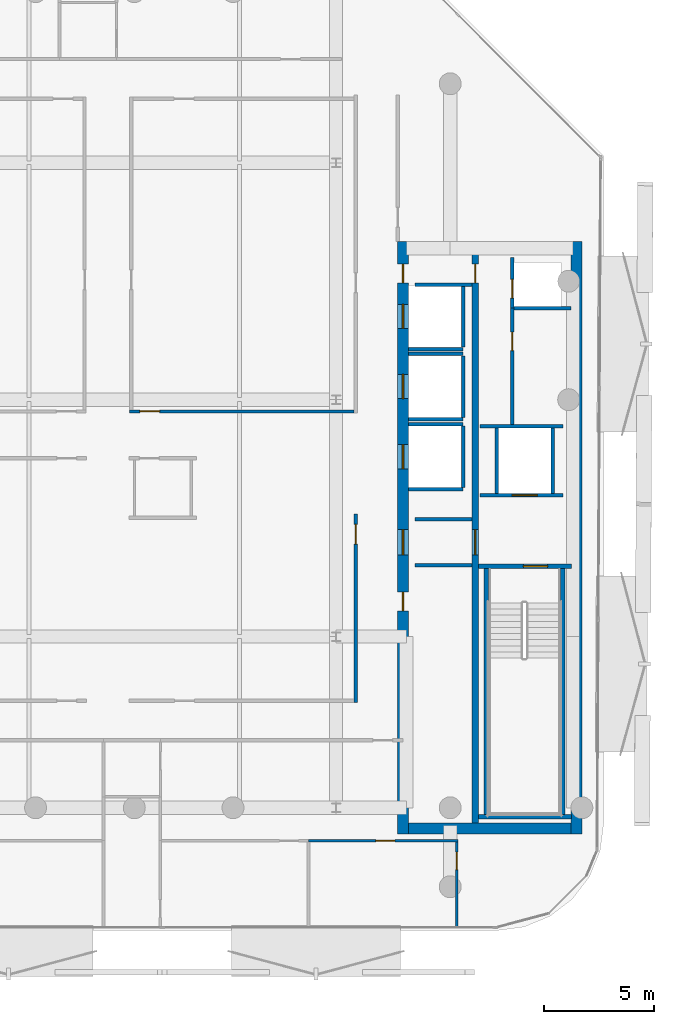
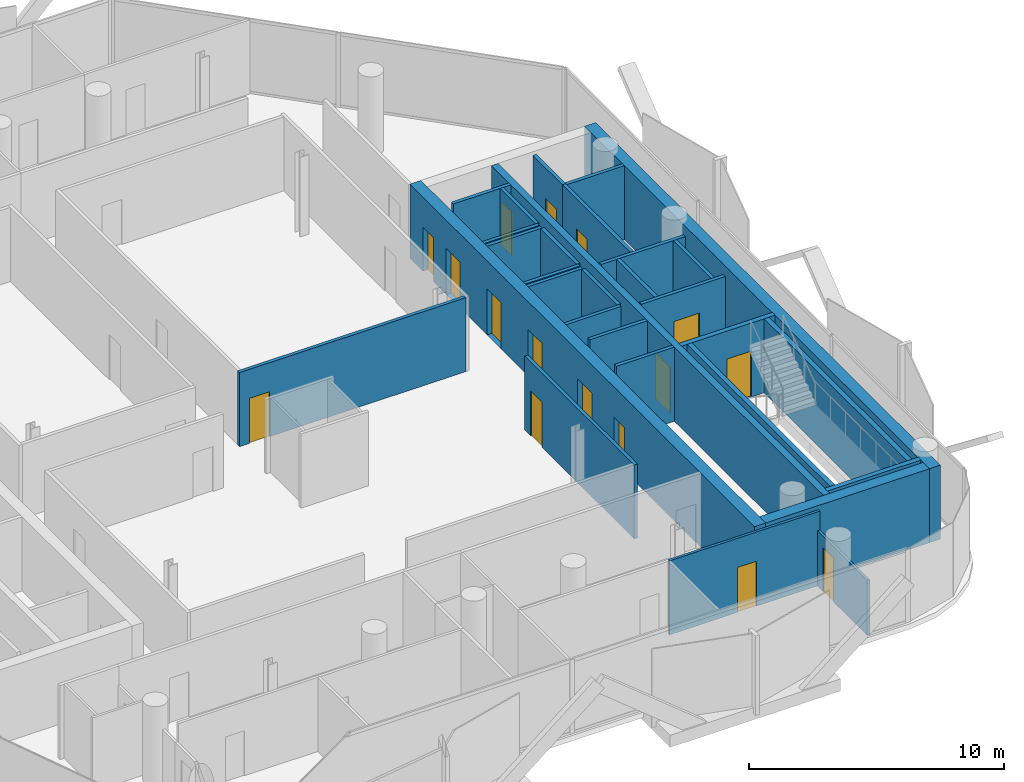
# One storey, part 6 of 16: 30 walls, 16 doors, 16 openings.
"""IFC4 building model written with IfcOpenShell, lengths in metres."""

from ifc_helpers import new_model, si_unit, direction, frame, frame_2d, origin, place, context, subcontext, project, spatial, rectangle, extrude, material, layer, layer_set, type_object, element, fill, save


model = new_model("IFC4")

# Units and contexts
model_context = context("Model", 3, precision=1e-05, world=origin(), true_north=direction((0.0, 1.0)))
body_context = subcontext(model_context, "Body", "Model", "MODEL_VIEW")
ifc_project = project(units=[si_unit("LENGTHUNIT", "METRE"), si_unit("AREAUNIT", "SQUARE_METRE"), si_unit("VOLUMEUNIT", "CUBIC_METRE"), si_unit("PLANEANGLEUNIT", "RADIAN"), si_unit("MASSUNIT", "GRAM", prefix="KILO")], contexts=[model_context])

# Site, building, storey
site_placement = place(None, origin())
site = spatial("IfcSite", under=ifc_project, at=site_placement, CompositionType="ELEMENT")
building_placement = place(site_placement, origin())
building = spatial("IfcBuilding", under=site, at=building_placement, Name="Khairoan Windgate Tower", CompositionType="ELEMENT")
storey_placement = place(building_placement, frame((0.0, 0.0, 296.60009765625)))
storey = spatial("IfcBuildingStorey", under=building, at=storey_placement, Name="L71", CompositionType="ELEMENT", Elevation=296.60009765625)

# Walls
ifc_material_1 = material(Name="Concrete C40/50", Category="concrete")
ifc_layer_1 = layer(ifc_material_1, 0.159912109375, Name="Concrete C40/50")
ifc_layer_set_1 = layer_set([ifc_layer_1], Name="Concrete C40/50")
wall_type_1 = type_object("IfcWallType", Name="Core and Hoistway Enclosure Wall", PredefinedType="STANDARD", material=ifc_layer_set_1)
wall_1_placement = place(storey_placement, frame((12.5, 2.31005859375, 0.0), z_axis=(0.0, 0.0, 1.0), x_axis=(1.0, 0.0, 0.0)))
element("IfcWall", 1, at=wall_1_placement, inside=storey, type_object=wall_type_1, Name="L71 Lift PL7 Hoistway Divider S", PredefinedType="STANDARD", context=body_context, shape_type="SweptSolid", body=[
    extrude(rectangle(XDim=2.489990234375, YDim=0.159912109375, at=frame_2d((1.2451171875, 0.0))), origin(), (0.0, 0.0, 1.0), 3.539794921875),
])
wall_2_placement = place(storey_placement, frame((14.989990234375, 2.39990234375, 0.0), z_axis=(0.0, 0.0, 1.0), x_axis=(0.0, 1.0, 0.0)))
element("IfcWall", 2, at=wall_2_placement, inside=storey, type_object=wall_type_1, Name="L71 Lift PL7 Hoistway Back Wall", PredefinedType="STANDARD", context=body_context, shape_type="SweptSolid", body=[
    extrude(rectangle(XDim=2.800048828125, YDim=0.159912109375, at=frame_2d((1.39990234375, 0.0))), origin(), (0.0, 0.0, 1.0), 3.539794921875),
])
for number, where, z_axis, x_axis, name in (
    (3, (12.5, -0.889892578125, 0.0), (0.0, 0.0, 1.0), (1.0, 0.0, 0.0), "L71 Lift PL8 Hoistway Divider S"),
    (4, (12.5, 2.090087890625, 0.0), (0.0, 0.0, 1.0), (1.0, 0.0, 0.0), "L71 Lift PL8 Hoistway Divider N"),
):
    element("IfcWall", number, at=place(storey_placement, frame(where, z_axis=z_axis, x_axis=x_axis)), inside=storey, type_object=wall_type_1, Name=name, PredefinedType="STANDARD", context=body_context, shape_type="SweptSolid", body=[
        extrude(rectangle(XDim=2.489990234375, YDim=0.159912109375, at=frame_2d((1.2451171875, 0.0))), origin(), (0.0, 0.0, 1.0), 3.539794921875),
    ])
wall_3_placement = place(storey_placement, frame((14.989990234375, -0.800048828125, 0.0), z_axis=(0.0, 0.0, 1.0), x_axis=(0.0, 1.0, 0.0)))
element("IfcWall", 5, at=wall_3_placement, inside=storey, type_object=wall_type_1, Name="L71 Lift PL8 Hoistway Back Wall", PredefinedType="STANDARD", context=body_context, shape_type="SweptSolid", body=[
    extrude(rectangle(XDim=2.800048828125, YDim=0.159912109375, at=frame_2d((1.39990234375, 0.0))), origin(), (0.0, 0.0, 1.0), 3.539794921875),
])
for number, where, z_axis, x_axis, name in (
    (6, (12.5, -4.090087890625, 0.0), (0.0, 0.0, 1.0), (1.0, 0.0, 0.0), "L71 Lift PL9 Hoistway Divider S"),
    (7, (12.5, -1.110107421875, 0.0), (0.0, 0.0, 1.0), (1.0, 0.0, 0.0), "L71 Lift PL9 Hoistway Divider N"),
):
    element("IfcWall", number, at=place(storey_placement, frame(where, z_axis=z_axis, x_axis=x_axis)), inside=storey, type_object=wall_type_1, Name=name, PredefinedType="STANDARD", context=body_context, shape_type="SweptSolid", body=[
        extrude(rectangle(XDim=2.489990234375, YDim=0.159912109375, at=frame_2d((1.2451171875, 0.0))), origin(), (0.0, 0.0, 1.0), 3.539794921875),
    ])
wall_4_placement = place(storey_placement, frame((14.989990234375, -4.0, 0.0), z_axis=(0.0, 0.0, 1.0), x_axis=(0.0, 1.0, 0.0)))
element("IfcWall", 8, at=wall_4_placement, inside=storey, type_object=wall_type_1, Name="L71 Lift PL9 Hoistway Back Wall", PredefinedType="STANDARD", context=body_context, shape_type="SweptSolid", body=[
    extrude(rectangle(XDim=2.800048828125, YDim=0.159912109375, at=frame_2d((1.39990234375, 0.0))), origin(), (0.0, 0.0, 1.0), 3.539794921875),
])

# Wall, opening, door
wall_5_placement = place(storey_placement, frame((15.75, -4.360107421875, 0.0), z_axis=(0.0, 0.0, 1.0), x_axis=(1.0, 0.0, 0.0)))
wall_5 = element("IfcWall", 9, at=wall_5_placement, inside=storey, type_object=wall_type_1, Name="L71 Core Shaft Wall SW-FL1-L71", PredefinedType="STANDARD", context=body_context, shape_type="SweptSolid", body=[
    extrude(rectangle(XDim=3.800048828125, YDim=0.159912109375, at=frame_2d((1.89990234375, 0.0))), origin(), (0.0, 0.0, 1.0), 3.539794921875),
])
opening_1_placement = place(wall_5_placement, frame((1.469970703125, 0.0, 0.0)))
opening_1 = element("IfcOpeningElement", 10, at=opening_1_placement, cuts=wall_5, Name="Opening LD-FL", PredefinedType="OPENING", context=body_context, shape_type="SweptSolid", body=[
    extrude(rectangle(XDim=1.14990234375, YDim=2.199951171875, at=frame_2d((0.574951171875, 1.10009765625))), frame((0.0, 0.08984375, 0.0), z_axis=(0.0, -1.0, 0.0), x_axis=(1.0, 0.0, 0.0)), (0.0, 0.0, 1.0), 0.179931640625),
])
ifc_material_2 = material(Name="Steel S355", Category="steel")
door_type_1 = type_object("IfcDoorType", Name="Firefighting Lift Sliding Landing Door LD-FL 1150x2200", OperationType="DOUBLE_DOOR_SLIDING", PredefinedType="DOOR", material=ifc_material_2)
door_1_placement = place(opening_1_placement, origin())
door_1 = element("IfcDoor", 11, at=door_1_placement, inside=storey, type_object=door_type_1, Name="L71 Firefighting Lift FL1 Landing Door", OperationType="DOUBLE_DOOR_SLIDING", OverallHeight=2.199951171875, OverallWidth=1.14990234375, PredefinedType="DOOR", context=body_context, shape_type="SweptSolid", body=[
    extrude(rectangle(XDim=1.14990234375, YDim=2.199951171875, at=frame_2d((0.574951171875, 1.10009765625))), frame((0.0, 0.02490234375, 0.0), z_axis=(0.0, -1.0, 0.0), x_axis=(1.0, 0.0, 0.0)), (0.0, 0.0, 1.0), 0.050048828125),
])
fill(opening_1, door_1)

# Walls
wall_6_placement = place(storey_placement, frame((15.75, -1.219970703125, 0.0), z_axis=(0.0, 0.0, 1.0), x_axis=(1.0, 0.0, 0.0)))
element("IfcWall", 12, at=wall_6_placement, inside=storey, type_object=wall_type_1, Name="L71 Core Shaft Wall SW-FL1T-L71", PredefinedType="STANDARD", context=body_context, shape_type="SweptSolid", body=[
    extrude(rectangle(XDim=3.800048828125, YDim=0.159912109375, at=frame_2d((1.89990234375, 0.0))), origin(), (0.0, 0.0, 1.0), 3.539794921875),
])
for number, where, z_axis, x_axis, name in (
    (13, (16.52001953125, -4.280029296875, 0.0), (0.0, 0.0, 1.0), (0.0, 1.0, 0.0), "L71 Core Shaft Wall SW-FL1W-L71"),
    (14, (19.080078125, -4.280029296875, 0.0), (0.0, 0.0, 1.0), (0.0, 1.0, 0.0), "L71 Core Shaft Wall SW-FL1E-L71"),
):
    element("IfcWall", number, at=place(storey_placement, frame(where, z_axis=z_axis, x_axis=x_axis)), inside=storey, type_object=wall_type_1, Name=name, PredefinedType="STANDARD", context=body_context, shape_type="SweptSolid", body=[
        extrude(rectangle(XDim=2.97998046875, YDim=0.159912109375, at=frame_2d((1.489990234375, 0.0))), origin(), (0.0, 0.0, 1.0), 3.539794921875),
    ])
for number, where, z_axis, x_axis, name in (
    (15, (12.800048828125, -5.449951171875, 0.0), (0.0, 0.0, 1.0), (1.0, 0.0, 0.0), "L71 Core Shaft Wall SW-EV1-L71"),
    (16, (12.800048828125, -7.5400390625, 0.0), (0.0, 0.0, 1.0), (1.0, 0.0, 0.0), "L71 Core Shaft Wall SW-EV2-L71"),
    (17, (12.800048828125, 5.25, 0.0), (0.0, 0.0, 1.0), (1.0, 0.0, 0.0), "L71 Core Shaft Wall SW-ESV-L71"),
):
    element("IfcWall", number, at=place(storey_placement, frame(where, z_axis=z_axis, x_axis=x_axis)), inside=storey, type_object=wall_type_1, Name=name, PredefinedType="STANDARD", context=body_context, shape_type="SweptSolid", body=[
        extrude(rectangle(XDim=2.599853515625, YDim=0.159912109375, at=frame_2d((1.2998046875, 0.0))), origin(), (0.0, 0.0, 1.0), 3.539794921875),
    ])

# Wall, opening, door
ifc_material_3 = material(Name="Gypsum Stud Partition", Category="gypsum")
ifc_layer_2 = layer(ifc_material_3, 0.1201171875, Name="Gypsum Stud Partition")
ifc_layer_set_2 = layer_set([ifc_layer_2], Name="Gypsum Stud Partition")
wall_type_2 = type_object("IfcWallType", Name="Internal Room Partition Wall", PredefinedType="PARTITIONING", material=ifc_layer_set_2)
wall_7_placement = place(storey_placement, frame((7.93994140625, -20.10009765625, 0.0), z_axis=(0.0, 0.0, 1.0), x_axis=(1.0, 0.0, 0.0)))
wall_7 = element("IfcWall", 18, at=wall_7_placement, inside=storey, type_object=wall_type_2, Name="L71 Interior Partition 068", PredefinedType="PARTITIONING", context=body_context, shape_type="SweptSolid", body=[
    extrude(rectangle(XDim=6.81005859375, YDim=0.1201171875, at=frame_2d((3.405029296875, 0.0))), origin(), (0.0, 0.0, 1.0), 3.539794921875),
])
opening_2_placement = place(wall_7_placement, frame((3.07568359375, 0.0, 0.0)))
opening_2 = element("IfcOpeningElement", 19, at=opening_2_placement, cuts=wall_7, Name="Opening ID-RM", PredefinedType="OPENING", context=body_context, shape_type="SweptSolid", body=[
    extrude(rectangle(XDim=0.860107421875, YDim=2.14990234375, at=frame_2d((0.43017578125, 1.074951171875))), frame((0.0, 0.070068359375, 0.0), z_axis=(0.0, -1.0, 0.0), x_axis=(1.0, 0.0, 0.0)), (0.0, 0.0, 1.0), 0.14013671875),
])
ifc_material_4 = material(Name="Teak Veneer Timber Leaf", Category="wood")
door_type_2 = type_object("IfcDoorType", Name="Internal Bedroom and Office Door ID-RM 860x2150", OperationType="NOTDEFINED", PredefinedType="DOOR", material=ifc_material_4)
door_2_placement = place(opening_2_placement, origin())
door_2 = element("IfcDoor", 20, at=door_2_placement, inside=storey, type_object=door_type_2, Name="L71 L71-50-L71-53 Door", OperationType="SINGLE_SWING_LEFT", OverallHeight=2.14990234375, OverallWidth=0.860107421875, PredefinedType="DOOR", context=body_context, shape_type="SweptSolid", body=[
    extrude(rectangle(XDim=0.860107421875, YDim=2.14990234375, at=frame_2d((0.43017578125, 1.074951171875))), frame((0.0, 0.02490234375, 0.0), z_axis=(0.0, -1.0, 0.0), x_axis=(1.0, 0.0, 0.0)), (0.0, 0.0, 1.0), 0.050048828125),
])
fill(opening_2, door_2)

wall_8_placement = place(storey_placement, frame((14.68994140625, -24.054931640625, 0.0), z_axis=(0.0, 0.0, 1.0), x_axis=(0.0, 1.0, 0.0)))
wall_8 = element("IfcWall", 21, at=wall_8_placement, inside=storey, type_object=wall_type_2, Name="L71 Interior Partition 069", PredefinedType="PARTITIONING", context=body_context, shape_type="SweptSolid", body=[
    extrude(rectangle(XDim=3.89501953125, YDim=0.1201171875, at=frame_2d((1.947509765625, 0.0))), origin(), (0.0, 0.0, 1.0), 2.639892578125),
])
opening_3_placement = place(wall_8_placement, frame((2.635009765625, 0.0, 0.0)))
opening_3 = element("IfcOpeningElement", 22, at=opening_3_placement, cuts=wall_8, Name="Opening ID-BTH", PredefinedType="OPENING", context=body_context, shape_type="SweptSolid", body=[
    extrude(rectangle(XDim=0.800048828125, YDim=2.10009765625, at=frame_2d((0.39990234375, 1.050048828125))), frame((0.0, 0.070068359375, 0.0), z_axis=(0.0, -1.0, 0.0), x_axis=(1.0, 0.0, 0.0)), (0.0, 0.0, 1.0), 0.14013671875),
])
ifc_material_5 = material(Name="Teak Veneer Timber Leaf", Category="wood")
door_type_3 = type_object("IfcDoorType", Name="Internal Bathroom Door ID-BTH 800x2100", OperationType="NOTDEFINED", PredefinedType="DOOR", material=ifc_material_5)
door_3_placement = place(opening_3_placement, origin())
door_3 = element("IfcDoor", 23, at=door_3_placement, inside=storey, type_object=door_type_3, Name="L71 L71-51-L71-53 Door", OperationType="SINGLE_SWING_RIGHT", OverallHeight=2.10009765625, OverallWidth=0.800048828125, PredefinedType="DOOR", context=body_context, shape_type="SweptSolid", body=[
    extrude(rectangle(XDim=0.800048828125, YDim=2.10009765625, at=frame_2d((0.39990234375, 1.050048828125))), frame((0.0, 0.02490234375, 0.0), z_axis=(0.0, -1.0, 0.0), x_axis=(1.0, 0.0, 0.0)), (0.0, 0.0, 1.0), 0.050048828125),
])
fill(opening_3, door_3)

ifc_material_6 = material(Name="Concrete C40/50", Category="concrete")
ifc_layer_3 = layer(ifc_material_6, 0.159912109375, Name="Concrete C40/50")
ifc_layer_set_3 = layer_set([ifc_layer_3], Name="Concrete C40/50")
wall_type_3 = type_object("IfcWallType", Name="Plant and Refuge Compartment Wall", PredefinedType="PARTITIONING", material=ifc_layer_set_3)
wall_9_placement = place(storey_placement, frame((17.22998046875, 4.169921875, 0.0), z_axis=(0.0, 0.0, 1.0), x_axis=(0.0, 1.0, 0.0)))
wall_9 = element("IfcWall", 24, at=wall_9_placement, inside=storey, type_object=wall_type_3, Name="L71 Interior Partition 008", PredefinedType="PARTITIONING", context=body_context, shape_type="SweptSolid", body=[
    extrude(rectangle(XDim=2.320068359375, YDim=0.159912109375, at=frame_2d((1.16015625, 0.0))), origin(), (0.0, 0.0, 1.0), 3.539794921875),
])
opening_4_placement = place(wall_9_placement, frame((0.4599609375, 0.0, 0.0)))
opening_4 = element("IfcOpeningElement", 25, at=opening_4_placement, cuts=wall_9, Name="Opening FD-SRV", PredefinedType="OPENING", context=body_context, shape_type="SweptSolid", body=[
    extrude(rectangle(XDim=0.85009765625, YDim=2.10009765625, at=frame_2d((0.425048828125, 1.050048828125))), frame((0.0, 0.08984375, 0.0), z_axis=(0.0, -1.0, 0.0), x_axis=(1.0, 0.0, 0.0)), (0.0, 0.0, 1.0), 0.179931640625),
])
ifc_material_7 = material(Name="Steel S355", Category="steel")
door_type_4 = type_object("IfcDoorType", Name="Core Service and Riser Fire Door FD-SRV 850x2100", OperationType="NOTDEFINED", PredefinedType="DOOR", material=ifc_material_7)
door_4_placement = place(opening_4_placement, origin())
door_4 = element("IfcDoor", 26, at=door_4_placement, inside=storey, type_object=door_type_4, Name="L71 L71-17-L71-18 Door", OperationType="SINGLE_SWING_RIGHT", OverallHeight=2.10009765625, OverallWidth=0.85009765625, PredefinedType="DOOR", context=body_context, shape_type="SweptSolid", body=[
    extrude(rectangle(XDim=0.85009765625, YDim=2.10009765625, at=frame_2d((0.425048828125, 1.050048828125))), frame((0.0, 0.02490234375, 0.0), z_axis=(0.0, -1.0, 0.0), x_axis=(1.0, 0.0, 0.0)), (0.0, 0.0, 1.0), 0.050048828125),
])
fill(opening_4, door_4)

wall_10_placement = place(storey_placement, frame((17.22998046875, -1.139892578125, 0.0), z_axis=(0.0, 0.0, 1.0), x_axis=(0.0, 1.0, 0.0)))
wall_10 = element("IfcWall", 27, at=wall_10_placement, inside=storey, type_object=wall_type_3, Name="L71 Interior Partition 009", PredefinedType="PARTITIONING", context=body_context, shape_type="SweptSolid", body=[
    extrude(rectangle(XDim=5.309814453125, YDim=0.159912109375, at=frame_2d((2.65478515625, 0.0))), origin(), (0.0, 0.0, 1.0), 3.539794921875),
])
opening_5_placement = place(wall_10_placement, frame((3.375244140625, 0.0, 0.0)))
opening_5 = element("IfcOpeningElement", 28, at=opening_5_placement, cuts=wall_10, Name="Opening FD-SRV", PredefinedType="OPENING", context=body_context, shape_type="SweptSolid", body=[
    extrude(rectangle(XDim=0.85009765625, YDim=2.10009765625, at=frame_2d((0.425048828125, 1.050048828125))), frame((0.0, 0.08984375, 0.0), z_axis=(0.0, -1.0, 0.0), x_axis=(1.0, 0.0, 0.0)), (0.0, 0.0, 1.0), 0.179931640625),
])
door_5_placement = place(opening_5_placement, origin())
door_5 = element("IfcDoor", 29, at=door_5_placement, inside=storey, type_object=door_type_4, Name="L71 L71-17-L71-19 Door", OperationType="SINGLE_SWING_LEFT", OverallHeight=2.10009765625, OverallWidth=0.85009765625, PredefinedType="DOOR", context=body_context, shape_type="SweptSolid", body=[
    extrude(rectangle(XDim=0.85009765625, YDim=2.10009765625, at=frame_2d((0.425048828125, 1.050048828125))), frame((0.0, 0.02490234375, 0.0), z_axis=(0.0, -1.0, 0.0), x_axis=(1.0, 0.0, 0.0)), (0.0, 0.0, 1.0), 0.050048828125),
])
fill(opening_5, door_5)

# Wall
wall_11_placement = place(storey_placement, frame((17.31005859375, 4.169921875, 0.0), z_axis=(0.0, 0.0, 1.0), x_axis=(1.0, 0.0, 0.0)))
element("IfcWall", 30, at=wall_11_placement, inside=storey, type_object=wall_type_3, Name="L71 Interior Partition 010", PredefinedType="PARTITIONING", context=body_context, shape_type="SweptSolid", body=[
    extrude(rectangle(XDim=2.58984375, YDim=0.159912109375, at=frame_2d((1.294921875, 0.0))), origin(), (0.0, 0.0, 1.0), 3.539794921875),
])

# Wall, opening, door
ifc_material_8 = material(Name="Acoustic Fire-Rated Gypsum Partition", Category="gypsum")
ifc_layer_4 = layer(ifc_material_8, 0.14990234375, Name="Acoustic Fire-Rated Gypsum Partition")
ifc_layer_set_4 = layer_set([ifc_layer_4], Name="Acoustic Fire-Rated Gypsum Partition")
wall_type_4 = type_object("IfcWallType", Name="Rated Corridor Partition Wall", PredefinedType="PARTITIONING", material=ifc_layer_set_4)
wall_12_placement = place(storey_placement, frame((10.10009765625, -13.794921875, 0.0), z_axis=(0.0, 0.0, 1.0), x_axis=(0.0, 1.0, 0.0)))
wall_12 = element("IfcWall", 31, at=wall_12_placement, inside=storey, type_object=wall_type_4, Name="L71 Interior Partition 015", PredefinedType="PARTITIONING", context=body_context, shape_type="SweptSolid", body=[
    extrude(rectangle(XDim=8.574951171875, YDim=0.14990234375, at=frame_2d((4.28759765625, 0.0))), origin(), (0.0, 0.0, 1.0), 3.539794921875),
])
opening_6_placement = place(wall_12_placement, frame((7.215087890625, 0.0, 0.0)))
opening_6 = element("IfcOpeningElement", 32, at=opening_6_placement, cuts=wall_12, Name="Opening FD-ENT", PredefinedType="OPENING", context=body_context, shape_type="SweptSolid", body=[
    extrude(rectangle(XDim=0.89990234375, YDim=2.14990234375, at=frame_2d((0.449951171875, 1.074951171875))), frame((0.0, 0.0849609375, 0.0), z_axis=(0.0, -1.0, 0.0), x_axis=(1.0, 0.0, 0.0)), (0.0, 0.0, 1.0), 0.169921875),
])
ifc_material_9 = material(Name="Timber Fire-Rated Core", Category="wood")
door_type_5 = type_object("IfcDoorType", Name="Unit and Office Fire Entrance Door FD-ENT 900x2150", OperationType="NOTDEFINED", PredefinedType="DOOR", material=ifc_material_9)
door_6_placement = place(opening_6_placement, origin())
door_6 = element("IfcDoor", 33, at=door_6_placement, inside=storey, type_object=door_type_5, Name="L71 L71-27-L71-59 Door", OperationType="SINGLE_SWING_RIGHT", OverallHeight=2.14990234375, OverallWidth=0.89990234375, PredefinedType="DOOR", context=body_context, shape_type="SweptSolid", body=[
    extrude(rectangle(XDim=0.89990234375, YDim=2.14990234375, at=frame_2d((0.449951171875, 1.074951171875))), frame((0.0, 0.02490234375, 0.0), z_axis=(0.0, -1.0, 0.0), x_axis=(1.0, 0.0, 0.0)), (0.0, 0.0, 1.0), 0.050048828125),
])
fill(opening_6, door_6)

wall_13_placement = place(storey_placement, frame((-0.2099609375, -0.534912109375, 0.0), z_axis=(0.0, 0.0, 1.0), x_axis=(1.0, 0.0, 0.0)))
wall_13 = element("IfcWall", 34, at=wall_13_placement, inside=storey, type_object=wall_type_4, Name="L71 Interior Partition 018", PredefinedType="PARTITIONING", context=body_context, shape_type="SweptSolid", body=[
    extrude(rectangle(XDim=10.23486328125, YDim=0.14990234375, at=frame_2d((5.117431640625, 0.0))), origin(), (0.0, 0.0, 1.0), 3.539794921875),
])
opening_7_placement = place(wall_13_placement, frame((0.4599609375, 0.0, 0.0)))
opening_7 = element("IfcOpeningElement", 35, at=opening_7_placement, cuts=wall_13, Name="Opening FD-ENT", PredefinedType="OPENING", context=body_context, shape_type="SweptSolid", body=[
    extrude(rectangle(XDim=0.89990234375, YDim=2.14990234375, at=frame_2d((0.449951171875, 1.074951171875))), frame((0.0, 0.0849609375, 0.0), z_axis=(0.0, -1.0, 0.0), x_axis=(1.0, 0.0, 0.0)), (0.0, 0.0, 1.0), 0.169921875),
])
door_7_placement = place(opening_7_placement, origin())
door_7 = element("IfcDoor", 36, at=door_7_placement, inside=storey, type_object=door_type_5, Name="L71 L71-28-L71-57 Door", OperationType="SINGLE_SWING_LEFT", OverallHeight=2.14990234375, OverallWidth=0.89990234375, PredefinedType="DOOR", context=body_context, shape_type="SweptSolid", body=[
    extrude(rectangle(XDim=0.89990234375, YDim=2.14990234375, at=frame_2d((0.449951171875, 1.074951171875))), frame((0.0, 0.02490234375, 0.0), z_axis=(0.0, -1.0, 0.0), x_axis=(1.0, 0.0, 0.0)), (0.0, 0.0, 1.0), 0.050048828125),
])
fill(opening_7, door_7)

# Wall, openings, doors
ifc_material_10 = material(Name="Concrete C50/60", Category="concrete")
ifc_layer_5 = layer(ifc_material_10, 0.5, Name="Concrete C50/60")
ifc_layer_set_5 = layer_set([ifc_layer_5], Name="Concrete C50/60")
wall_type_5 = type_object("IfcWallType", Name="Shear Wall CW-E3 500mm", PredefinedType="SHEAR", material=ifc_layer_set_5)
wall_14_placement = place(storey_placement, frame((12.25, -19.800048828125, 0.0), z_axis=(0.0, 0.0, 1.0), x_axis=(0.0, 1.0, 0.0)))
wall_14 = element("IfcWall", 37, at=wall_14_placement, inside=storey, type_object=wall_type_5, Name="E Core West Shear Wall L71", PredefinedType="SHEAR", context=body_context, shape_type="SweptSolid", body=[
    extrude(rectangle(XDim=27.0, YDim=0.5, at=frame_2d((13.5, 0.0))), origin(), (0.0, 0.0, 1.0), 3.539794921875),
])
opening_8_placement = place(wall_14_placement, frame((23.050048828125, 0.0, 0.0)))
opening_8 = element("IfcOpeningElement", 38, at=opening_8_placement, cuts=wall_14, Name="Opening LD-PL", PredefinedType="OPENING", context=body_context, shape_type="SweptSolid", body=[
    extrude(rectangle(XDim=1.10009765625, YDim=2.199951171875, at=frame_2d((0.550048828125, 1.10009765625))), frame((0.0, 0.260009765625, 0.0), z_axis=(0.0, -1.0, 0.0), x_axis=(1.0, 0.0, 0.0)), (0.0, 0.0, 1.0), 0.52001953125),
])
opening_9_placement = place(wall_14_placement, frame((19.85009765625, 0.0, 0.0)))
opening_9 = element("IfcOpeningElement", 39, at=opening_9_placement, cuts=wall_14, Name="Opening LD-PL", PredefinedType="OPENING", context=body_context, shape_type="SweptSolid", body=[
    extrude(rectangle(XDim=1.10009765625, YDim=2.199951171875, at=frame_2d((0.550048828125, 1.10009765625))), frame((0.0, 0.260009765625, 0.0), z_axis=(0.0, -1.0, 0.0), x_axis=(1.0, 0.0, 0.0)), (0.0, 0.0, 1.0), 0.52001953125),
])
opening_10_placement = place(wall_14_placement, frame((16.64990234375, 0.0, 0.0)))
opening_10 = element("IfcOpeningElement", 40, at=opening_10_placement, cuts=wall_14, Name="Opening LD-PL", PredefinedType="OPENING", context=body_context, shape_type="SweptSolid", body=[
    extrude(rectangle(XDim=1.10009765625, YDim=2.199951171875, at=frame_2d((0.550048828125, 1.10009765625))), frame((0.0, 0.260009765625, 0.0), z_axis=(0.0, -1.0, 0.0), x_axis=(1.0, 0.0, 0.0)), (0.0, 0.0, 1.0), 0.52001953125),
])
opening_11_placement = place(wall_14_placement, frame((10.175048828125, 0.0, 0.0)))
opening_11 = element("IfcOpeningElement", 41, at=opening_11_placement, cuts=wall_14, Name="Opening FD-SRV", PredefinedType="OPENING", context=body_context, shape_type="SweptSolid", body=[
    extrude(rectangle(XDim=0.85009765625, YDim=2.10009765625, at=frame_2d((0.425048828125, 1.050048828125))), frame((0.0, 0.260009765625, 0.0), z_axis=(0.0, -1.0, 0.0), x_axis=(1.0, 0.0, 0.0)), (0.0, 0.0, 1.0), 0.52001953125),
])
opening_12_placement = place(wall_14_placement, frame((12.72509765625, 0.0, 0.0)))
opening_12 = element("IfcOpeningElement", 42, at=opening_12_placement, cuts=wall_14, Name="Opening FD-FFL", PredefinedType="OPENING", context=body_context, shape_type="SweptSolid", body=[
    extrude(rectangle(XDim=1.14990234375, YDim=2.199951171875, at=frame_2d((0.574951171875, 1.10009765625))), frame((0.0, 0.260009765625, 0.0), z_axis=(0.0, -1.0, 0.0), x_axis=(1.0, 0.0, 0.0)), (0.0, 0.0, 1.0), 0.52001953125),
])
opening_13_placement = place(wall_14_placement, frame((25.125, 0.0, 0.0)))
opening_13 = element("IfcOpeningElement", 43, at=opening_13_placement, cuts=wall_14, Name="Opening FD-SRV", PredefinedType="OPENING", context=body_context, shape_type="SweptSolid", body=[
    extrude(rectangle(XDim=0.85009765625, YDim=2.10009765625, at=frame_2d((0.425048828125, 1.050048828125))), frame((0.0, 0.260009765625, 0.0), z_axis=(0.0, -1.0, 0.0), x_axis=(1.0, 0.0, 0.0)), (0.0, 0.0, 1.0), 0.52001953125),
])
door_8_placement = place(opening_11_placement, origin())
door_8 = element("IfcDoor", 44, at=door_8_placement, inside=storey, type_object=door_type_4, Name="L71 East Core Service Room Door 1", OperationType="SINGLE_SWING_RIGHT", OverallHeight=2.10009765625, OverallWidth=0.85009765625, PredefinedType="DOOR", context=body_context, shape_type="SweptSolid", body=[
    extrude(rectangle(XDim=0.85009765625, YDim=2.10009765625, at=frame_2d((0.425048828125, 1.050048828125))), frame((0.0, 0.02490234375, 0.0), z_axis=(0.0, -1.0, 0.0), x_axis=(1.0, 0.0, 0.0)), (0.0, 0.0, 1.0), 0.050048828125),
])
fill(opening_11, door_8)
door_9_placement = place(opening_13_placement, origin())
door_9 = element("IfcDoor", 45, at=door_9_placement, inside=storey, type_object=door_type_4, Name="L71 East Core Service Vestibule Outer Door", OperationType="SINGLE_SWING_LEFT", OverallHeight=2.10009765625, OverallWidth=0.85009765625, PredefinedType="DOOR", context=body_context, shape_type="SweptSolid", body=[
    extrude(rectangle(XDim=0.85009765625, YDim=2.10009765625, at=frame_2d((0.425048828125, 1.050048828125))), frame((0.0, 0.02490234375, 0.0), z_axis=(0.0, -1.0, 0.0), x_axis=(1.0, 0.0, 0.0)), (0.0, 0.0, 1.0), 0.050048828125),
])
fill(opening_13, door_9)
ifc_material_11 = material(Name="Steel S355", Category="steel")
door_type_6 = type_object("IfcDoorType", Name="Firefighting Lobby Fire Door FD-FFL 1150x2200", OperationType="NOTDEFINED", PredefinedType="DOOR", material=ifc_material_11)
door_10_placement = place(opening_12_placement, origin())
door_10 = element("IfcDoor", 46, at=door_10_placement, inside=storey, type_object=door_type_6, Name="L71 East Core Vestibule Entry Door", OperationType="SINGLE_SWING_LEFT", OverallHeight=2.199951171875, OverallWidth=1.14990234375, PredefinedType="DOOR", context=body_context, shape_type="SweptSolid", body=[
    extrude(rectangle(XDim=1.14990234375, YDim=2.199951171875, at=frame_2d((0.574951171875, 1.10009765625))), frame((0.0, 0.02490234375, 0.0), z_axis=(0.0, -1.0, 0.0), x_axis=(1.0, 0.0, 0.0)), (0.0, 0.0, 1.0), 0.050048828125),
])
fill(opening_12, door_10)
ifc_material_12 = material(Name="Anodised Bronze Aluminium 6063-T6", Category="aluminium")
door_type_7 = type_object("IfcDoorType", Name="Passenger Lift Sliding Landing Door LD-PL 1100x2200", OperationType="DOUBLE_DOOR_SLIDING", PredefinedType="DOOR", material=ifc_material_12)
door_11_placement = place(opening_8_placement, origin())
door_11 = element("IfcDoor", 47, at=door_11_placement, inside=storey, type_object=door_type_7, Name="L71 Lift PL7 Sliding Landing Door", OperationType="DOUBLE_DOOR_SLIDING", OverallHeight=2.199951171875, OverallWidth=1.10009765625, PredefinedType="DOOR", context=body_context, shape_type="SweptSolid", body=[
    extrude(rectangle(XDim=1.10009765625, YDim=2.199951171875, at=frame_2d((0.550048828125, 1.10009765625))), frame((0.0, 0.02490234375, 0.0), z_axis=(0.0, -1.0, 0.0), x_axis=(1.0, 0.0, 0.0)), (0.0, 0.0, 1.0), 0.050048828125),
])
fill(opening_8, door_11)
door_12_placement = place(opening_9_placement, origin())
door_12 = element("IfcDoor", 48, at=door_12_placement, inside=storey, type_object=door_type_7, Name="L71 Lift PL8 Sliding Landing Door", OperationType="DOUBLE_DOOR_SLIDING", OverallHeight=2.199951171875, OverallWidth=1.10009765625, PredefinedType="DOOR", context=body_context, shape_type="SweptSolid", body=[
    extrude(rectangle(XDim=1.10009765625, YDim=2.199951171875, at=frame_2d((0.550048828125, 1.10009765625))), frame((0.0, 0.02490234375, 0.0), z_axis=(0.0, -1.0, 0.0), x_axis=(1.0, 0.0, 0.0)), (0.0, 0.0, 1.0), 0.050048828125),
])
fill(opening_9, door_12)
door_13_placement = place(opening_10_placement, origin())
door_13 = element("IfcDoor", 49, at=door_13_placement, inside=storey, type_object=door_type_7, Name="L71 Lift PL9 Sliding Landing Door", OperationType="DOUBLE_DOOR_SLIDING", OverallHeight=2.199951171875, OverallWidth=1.10009765625, PredefinedType="DOOR", context=body_context, shape_type="SweptSolid", body=[
    extrude(rectangle(XDim=1.10009765625, YDim=2.199951171875, at=frame_2d((0.550048828125, 1.10009765625))), frame((0.0, 0.02490234375, 0.0), z_axis=(0.0, -1.0, 0.0), x_axis=(1.0, 0.0, 0.0)), (0.0, 0.0, 1.0), 0.050048828125),
])
fill(opening_10, door_13)

# Walls
wall_15_placement = place(storey_placement, frame((20.14990234375, -19.800048828125, 0.0), z_axis=(0.0, 0.0, 1.0), x_axis=(0.0, 1.0, 0.0)))
element("IfcWall", 50, at=wall_15_placement, inside=storey, type_object=wall_type_5, Name="E Core East Shear Wall L71", PredefinedType="SHEAR", context=body_context, shape_type="SweptSolid", body=[
    extrude(rectangle(XDim=27.0, YDim=0.5, at=frame_2d((13.5, 0.0))), origin(), (0.0, 0.0, 1.0), 3.539794921875),
])
wall_16_placement = place(storey_placement, frame((12.5, -19.550048828125, 0.0), z_axis=(0.0, 0.0, 1.0), x_axis=(1.0, 0.0, 0.0)))
element("IfcWall", 51, at=wall_16_placement, inside=storey, type_object=wall_type_5, Name="E Core South Shear Wall L71", PredefinedType="SHEAR", context=body_context, shape_type="SweptSolid", body=[
    extrude(rectangle(XDim=7.39990234375, YDim=0.5, at=frame_2d((3.699951171875, 0.0))), origin(), (0.0, 0.0, 1.0), 3.539794921875),
])

# Wall, openings, doors
ifc_material_13 = material(Name="Concrete C50/60", Category="concrete")
ifc_layer_6 = layer(ifc_material_13, 0.300048828125, Name="Concrete C50/60")
ifc_layer_set_6 = layer_set([ifc_layer_6], Name="Concrete C50/60")
wall_type_6 = type_object("IfcWallType", Name="Shear Wall SW-2 300mm", PredefinedType="SHEAR", material=ifc_layer_set_6)
wall_17_placement = place(storey_placement, frame((15.550048828125, -19.300048828125, 0.0), z_axis=(0.0, 0.0, 1.0), x_axis=(0.0, 1.0, 0.0)))
wall_17 = element("IfcWall", 52, at=wall_17_placement, inside=storey, type_object=wall_type_6, Name="E Core Spine Shear Wall L71", PredefinedType="SHEAR", context=body_context, shape_type="SweptSolid", body=[
    extrude(rectangle(XDim=26.0, YDim=0.300048828125, at=frame_2d((13.0, 0.0))), origin(), (0.0, 0.0, 1.0), 3.539794921875),
])
opening_14_placement = place(wall_17_placement, frame((12.22509765625, 0.0, 0.0)))
opening_14 = element("IfcOpeningElement", 53, at=opening_14_placement, cuts=wall_17, Name="Opening FD-FFL", PredefinedType="OPENING", context=body_context, shape_type="SweptSolid", body=[
    extrude(rectangle(XDim=1.14990234375, YDim=2.199951171875, at=frame_2d((0.574951171875, 1.10009765625))), frame((0.0, 0.159912109375, 0.0), z_axis=(0.0, -1.0, 0.0), x_axis=(1.0, 0.0, 0.0)), (0.0, 0.0, 1.0), 0.320068359375),
])
opening_15_placement = place(wall_17_placement, frame((24.625, 0.0, 0.0)))
opening_15 = element("IfcOpeningElement", 54, at=opening_15_placement, cuts=wall_17, Name="Opening FD-SRV", PredefinedType="OPENING", context=body_context, shape_type="SweptSolid", body=[
    extrude(rectangle(XDim=0.85009765625, YDim=2.10009765625, at=frame_2d((0.425048828125, 1.050048828125))), frame((0.0, 0.159912109375, 0.0), z_axis=(0.0, -1.0, 0.0), x_axis=(1.0, 0.0, 0.0)), (0.0, 0.0, 1.0), 0.320068359375),
])
door_14_placement = place(opening_15_placement, origin())
door_14 = element("IfcDoor", 55, at=door_14_placement, inside=storey, type_object=door_type_4, Name="L71 East Core Service Passage Inner Door", OperationType="SINGLE_SWING_RIGHT", OverallHeight=2.10009765625, OverallWidth=0.85009765625, PredefinedType="DOOR", context=body_context, shape_type="SweptSolid", body=[
    extrude(rectangle(XDim=0.85009765625, YDim=2.10009765625, at=frame_2d((0.425048828125, 1.050048828125))), frame((0.0, 0.02490234375, 0.0), z_axis=(0.0, -1.0, 0.0), x_axis=(1.0, 0.0, 0.0)), (0.0, 0.0, 1.0), 0.050048828125),
])
fill(opening_15, door_14)
door_15_placement = place(opening_14_placement, origin())
door_15 = element("IfcDoor", 56, at=door_15_placement, inside=storey, type_object=door_type_6, Name="L71 East Firefighting Lobby Fire Door", OperationType="SINGLE_SWING_RIGHT", OverallHeight=2.199951171875, OverallWidth=1.14990234375, PredefinedType="DOOR", context=body_context, shape_type="SweptSolid", body=[
    extrude(rectangle(XDim=1.14990234375, YDim=2.199951171875, at=frame_2d((0.574951171875, 1.10009765625))), frame((0.0, 0.02490234375, 0.0), z_axis=(0.0, -1.0, 0.0), x_axis=(1.0, 0.0, 0.0)), (0.0, 0.0, 1.0), 0.050048828125),
])
fill(opening_14, door_15)

# Walls
ifc_material_14 = material(Name="Concrete C50/60", Category="concrete")
ifc_layer_7 = layer(ifc_material_14, 0.219970703125, Name="Concrete C50/60")
ifc_layer_set_7 = layer_set([ifc_layer_7], Name="Concrete C50/60")
wall_type_7 = type_object("IfcWallType", Name="Shear Wall SW-ST 220mm", PredefinedType="SHEAR", material=ifc_layer_set_7)
for number, where, z_axis, x_axis, name in (
    (57, (16.0400390625, -19.010009765625, 0.0), (0.0, 0.0, 1.0), (0.0, 1.0, 0.0), "L71 Stair ST1 West Bearing Wall"),
    (58, (19.530029296875, -19.010009765625, 0.0), (0.0, 0.0, 1.0), (0.0, 1.0, 0.0), "L71 Stair ST1 East Bearing Wall"),
):
    element("IfcWall", number, at=place(storey_placement, frame(where, z_axis=z_axis, x_axis=x_axis)), inside=storey, type_object=wall_type_7, Name=name, PredefinedType="SHEAR", context=body_context, shape_type="SweptSolid", body=[
        extrude(rectangle(XDim=11.419921875, YDim=0.219970703125, at=frame_2d((5.7099609375, 0.0))), origin(), (0.0, 0.0, 1.0), 3.539794921875),
    ])
wall_18_placement = place(storey_placement, frame((15.679931640625, -19.010009765625, 0.0), z_axis=(0.0, 0.0, 1.0), x_axis=(1.0, 0.0, 0.0)))
element("IfcWall", 59, at=wall_18_placement, inside=storey, type_object=wall_type_7, Name="L71 Stair ST1 South Bearing Wall", PredefinedType="SHEAR", context=body_context, shape_type="SweptSolid", body=[
    extrude(rectangle(XDim=4.239990234375, YDim=0.219970703125, at=frame_2d((2.1201171875, 0.0))), origin(), (0.0, 0.0, 1.0), 3.539794921875),
])

# Wall, opening, door
wall_19_placement = place(storey_placement, frame((19.919921875, -7.590087890625, 0.0), z_axis=(0.0, 0.0, 1.0), x_axis=(-1.0, 0.0, 0.0)))
wall_19 = element("IfcWall", 60, at=wall_19_placement, inside=storey, type_object=wall_type_7, Name="L71 Stair ST1 North Bearing Wall", PredefinedType="SHEAR", context=body_context, shape_type="SweptSolid", body=[
    extrude(rectangle(XDim=4.239990234375, YDim=0.219970703125, at=frame_2d((2.1201171875, 0.0))), origin(), (0.0, 0.0, 1.0), 3.539794921875),
])
opening_16_placement = place(wall_19_placement, frame((1.080078125, 0.0, 0.0)))
opening_16 = element("IfcOpeningElement", 61, at=opening_16_placement, cuts=wall_19, Name="Opening FD-ST", PredefinedType="OPENING", context=body_context, shape_type="SweptSolid", body=[
    extrude(rectangle(XDim=1.10009765625, YDim=2.199951171875, at=frame_2d((0.550048828125, 1.10009765625))), frame((0.0, 0.119873046875, 0.0), z_axis=(0.0, -1.0, 0.0), x_axis=(1.0, 0.0, 0.0)), (0.0, 0.0, 1.0), 0.239990234375),
])
ifc_material_15 = material(Name="Steel S355", Category="steel")
door_type_8 = type_object("IfcDoorType", Name="Smokeproof Stair Fire Door FD-ST 1100x2200", OperationType="NOTDEFINED", PredefinedType="DOOR", material=ifc_material_15)
door_16_placement = place(opening_16_placement, origin())
door_16 = element("IfcDoor", 62, at=door_16_placement, inside=storey, type_object=door_type_8, Name="L71 Stair ST1 Fire Door", OperationType="SINGLE_SWING_RIGHT", OverallHeight=2.199951171875, OverallWidth=1.10009765625, PredefinedType="DOOR", context=body_context, shape_type="SweptSolid", body=[
    extrude(rectangle(XDim=1.10009765625, YDim=2.199951171875, at=frame_2d((0.550048828125, 1.10009765625))), frame((0.0, 0.02490234375, 0.0), z_axis=(0.0, -1.0, 0.0), x_axis=(1.0, 0.0, 0.0)), (0.0, 0.0, 1.0), 0.050048828125),
])
fill(opening_16, door_16)

save(model, "model.ifc")
